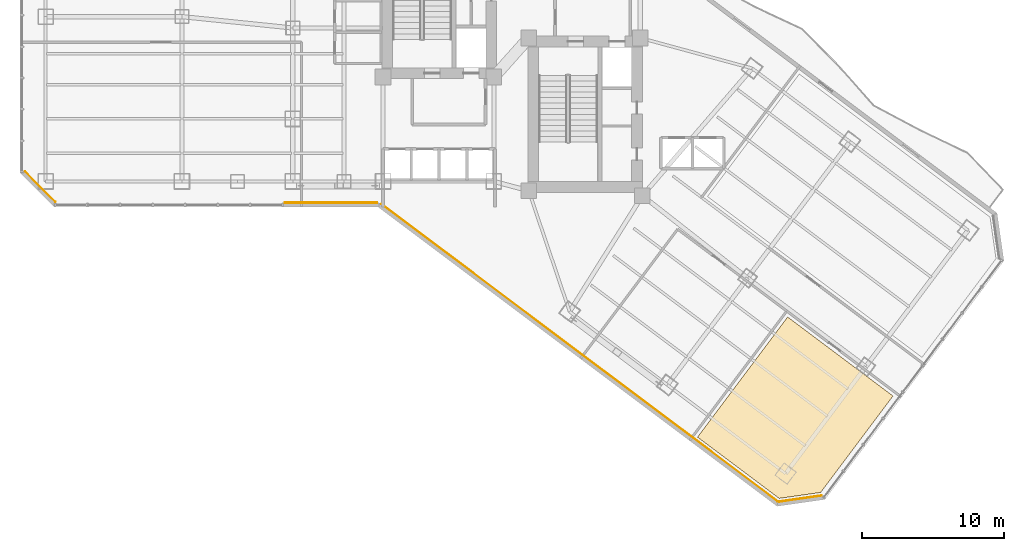
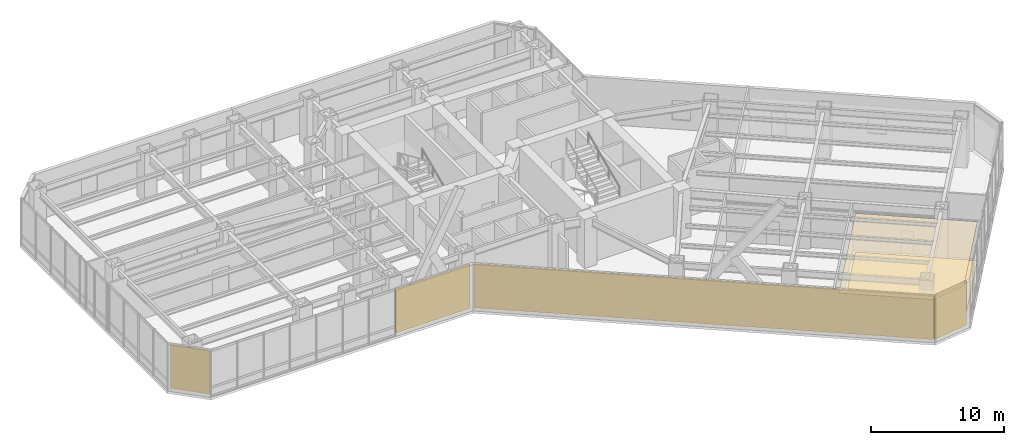
# One storey, part 25 of 29: 6 coverings.
"""IFC4 building model written with IfcOpenShell, lengths in metres."""

import ifcopenshell
import ifcopenshell.guid

model = None  # the IFC model being written
_history = None  # IfcOwnerHistory: only IFC2X3 demands one
_inside = {}  # id of a spatial element -> (the spatial element, [elements in it])
_under = {}  # id of a project, library or spatial element -> (it, [spatial elements below it])
_declared = {}  # id of a project -> (the project, [libraries it declares])
_typed = {}  # id of a type object -> (the type object, [elements of that type])
_made_of = {}  # id of a material, layer set ... -> (it, [elements and type objects made of it])


def new_model(schema):
    """Start an empty IFC model of exactly this schema.

    Asked for "IFC4X3", IfcOpenShell would pick the latest addendum, in which some entities
    have other attributes; the version numbers below select the first issue.
    IFC2X3 requires an IfcOwnerHistory on every rooted entity: one is made here for all.
    """
    global model, _history
    if schema == "IFC4X3":
        model = ifcopenshell.file(schema_version=(4, 3, 0, 0))
    else:
        model = ifcopenshell.file(schema=schema)
    _inside.clear()
    _under.clear()
    _declared.clear()
    _typed.clear()
    _made_of.clear()
    _history = None
    if model.schema == "IFC2X3":
        org = make("IfcOrganization", Name="unknown")
        user = make(
            "IfcPersonAndOrganization",
            ThePerson=make("IfcPerson", FamilyName="unknown"),
            TheOrganization=org,
        )
        app = make(
            "IfcApplication",
            ApplicationDeveloper=org,
            Version="unknown",
            ApplicationFullName="unknown",
            ApplicationIdentifier="unknown",
        )
        _history = make(
            "IfcOwnerHistory",
            OwningUser=user,
            OwningApplication=app,
            ChangeAction="ADDED",
            CreationDate=0,
        )
    return model


def make(cls, **values):
    """One entity of the class cls with the attributes given. An attribute that is None is left unset."""
    return model.create_entity(
        cls, **{name: value for name, value in values.items() if value is not None}
    )


def rooted(cls, **values):
    """An entity with a GlobalId (a new one), such as an element, a storey or a relation."""
    return make(cls, GlobalId=ifcopenshell.guid.new(), OwnerHistory=_history, **values)


def si_unit(unit_type, name, prefix=None):
    """IfcSIUnit, for example si_unit("LENGTHUNIT", "METRE", prefix="MILLI")."""
    return make("IfcSIUnit", UnitType=unit_type, Prefix=prefix, Name=name)


def assignment(units):
    """IfcUnitAssignment: the units of a project."""
    return None if units is None else make("IfcUnitAssignment", Units=units)


def point(xyz):
    """IfcCartesianPoint."""
    return None if xyz is None else make("IfcCartesianPoint", Coordinates=xyz)


def direction(xyz):
    """IfcDirection."""
    return None if xyz is None else make("IfcDirection", DirectionRatios=xyz)


def frame(location, z_axis=None, x_axis=None):
    """IfcAxis2Placement3D, a coordinate frame: its origin and axes. An axis left out is left unset."""
    return make(
        "IfcAxis2Placement3D",
        Location=point(location),
        Axis=direction(z_axis),
        RefDirection=direction(x_axis),
    )


def frame_2d(location, x_axis=None):
    """IfcAxis2Placement2D, a coordinate frame in the plane: its origin and x axis."""
    return make(
        "IfcAxis2Placement2D", Location=point(location), RefDirection=direction(x_axis)
    )


def origin():
    """The frame at (0, 0, 0) with its axes left unset."""
    return frame((0.0, 0.0, 0.0))


def origin_2d():
    """The frame at (0, 0) in the plane with its x axis left unset."""
    return frame_2d((0.0, 0.0))


def place(relative_to, where):
    """IfcLocalPlacement: puts the frame where relative to a parent placement (None: the world)."""
    return make(
        "IfcLocalPlacement", PlacementRelTo=relative_to, RelativePlacement=where
    )


def context(
    kind, dimensions, precision=None, world=None, true_north=None, identifier=None
):
    """IfcGeometricRepresentationContext, for example the 3D "Model" context."""
    return make(
        "IfcGeometricRepresentationContext",
        ContextIdentifier=identifier,
        ContextType=kind,
        CoordinateSpaceDimension=dimensions,
        Precision=precision,
        WorldCoordinateSystem=world,
        TrueNorth=true_north,
    )


def subcontext(parent, identifier, kind, view, scale=None):
    """IfcGeometricRepresentationSubContext, for example "Body" below "Model"."""
    return make(
        "IfcGeometricRepresentationSubContext",
        ContextIdentifier=identifier,
        ContextType=kind,
        ParentContext=parent,
        TargetScale=scale,
        TargetView=view,
    )


def project(units=None, contexts=None):
    """IfcProject with its units and contexts."""
    return rooted(
        "IfcProject",
        Name="project",
        RepresentationContexts=contexts,
        UnitsInContext=assignment(units),
    )


def spatial(cls, under=None, at=None, **own):
    """A site, building, storey or space (cls), placed at a placement, below another one or the project."""
    s = rooted(cls, ObjectPlacement=at, **own)
    if under is not None:
        _under.setdefault(under.id(), (under, []))[1].append(s)
    return s


def polyline(points):
    """IfcPolyline through the points."""
    return make("IfcPolyline", Points=[point(p) for p in points])


def profile(cls, at=None, kind="AREA", **sizes):
    """A parametric profile (cls). Its sizes go by their IFC names, for example OverallWidth=200.0."""
    return make(cls, ProfileType=kind, Position=at, **sizes)


def rectangle(**sizes):
    """IfcRectangleProfileDef."""
    return profile("IfcRectangleProfileDef", **sizes)


def outline(outer, holes=None, kind="AREA"):
    """IfcArbitraryClosedProfileDef: a profile drawn as a closed curve; with holes, ...WithVoids."""
    if holes is None:
        return make("IfcArbitraryClosedProfileDef", ProfileType=kind, OuterCurve=outer)
    return make(
        "IfcArbitraryProfileDefWithVoids",
        ProfileType=kind,
        OuterCurve=outer,
        InnerCurves=holes,
    )


def extrude(swept, where, along, depth):
    """IfcExtrudedAreaSolid: the profile swept, set in the frame where, extruded along a direction by depth."""
    return make(
        "IfcExtrudedAreaSolid",
        SweptArea=swept,
        Position=where,
        ExtrudedDirection=direction(along),
        Depth=depth,
    )


def shape(context_of_items, identifier, shape_type, items):
    """IfcShapeRepresentation: the items that make up one representation, for example the "Body"."""
    return make(
        "IfcShapeRepresentation",
        ContextOfItems=context_of_items,
        RepresentationIdentifier=identifier,
        RepresentationType=shape_type,
        Items=items,
    )


def material(Name=None, Category=None):
    """IfcMaterial."""
    return make("IfcMaterial", Name=Name, Category=Category)


def layer(
    of_material, thickness, ventilated=None, Name=None, Category=None, Priority=None
):
    """IfcMaterialLayer: one layer of a wall or slab, of a material (None: an air gap)."""
    return make(
        "IfcMaterialLayer",
        Material=of_material,
        LayerThickness=thickness,
        IsVentilated=ventilated,
        Name=Name,
        Category=Category,
        Priority=Priority,
    )


def layer_set(layers, Name=None):
    """IfcMaterialLayerSet."""
    return make("IfcMaterialLayerSet", MaterialLayers=layers, LayerSetName=Name)


def made_of(thing, what):
    """Note that an element or type object is made of a material, layer set ...; save() writes the relation."""
    if what is not None:
        _made_of.setdefault(what.id(), (what, []))[1].append(thing)
    return thing


def type_object(cls, material=None, **own):
    """A type object (cls), such as IfcWallType, which elements share."""
    return made_of(rooted(cls, **own), material)


def element(
    cls,
    number,
    at=None,
    inside=None,
    cuts=None,
    type_object=None,
    material=None,
    context=None,
    identifier="Body",
    shape_type=None,
    held_by="IfcProductDefinitionShape",
    body=None,
    shapes=None,
    **own,
):
    """One element of the class cls, such as IfcWall. Its Tag is "e" and its number.

    at: its placement. inside: the storey or other place that contains it. cuts: it is an
    opening in that element (IfcRelVoidsElement). A single representation is given by context,
    identifier, shape_type and body (its items); several are given by shapes. held_by: the class
    of the entity that holds the representations. save() writes the other relations.
    """
    e = rooted(cls, Tag="e%d" % number, ObjectPlacement=at, **own)
    if body is not None:
        shapes = [shape(context, identifier, shape_type, body)]
    if shapes is not None:
        e.Representation = make(held_by, Representations=shapes)
    if inside is not None:
        _inside.setdefault(inside.id(), (inside, []))[1].append(e)
    if cuts is not None:
        rooted(
            "IfcRelVoidsElement", RelatingBuildingElement=cuts, RelatedOpeningElement=e
        )
    if type_object is not None:
        _typed.setdefault(type_object.id(), (type_object, []))[1].append(e)
    return made_of(e, material)


def aggregate(whole, parts):
    """IfcRelAggregates: a whole, such as a stair, and the parts it consists of."""
    return rooted("IfcRelAggregates", RelatingObject=whole, RelatedObjects=parts)


def save(model, path):
    """Write the relations noted so far, then the file.

    IfcRelAggregates (storeys below a building ...), IfcRelContainedInSpatialStructure (elements
    in a storey), IfcRelDefinesByType, IfcRelAssociatesMaterial and IfcRelDeclares: one each for
    every whole, place, type object, material and project.
    """
    for whole, parts in _under.values():
        aggregate(whole, parts)
    for where, things in _inside.values():
        rooted(
            "IfcRelContainedInSpatialStructure",
            RelatedElements=things,
            RelatingStructure=where,
        )
    for kind, things in _typed.values():
        rooted("IfcRelDefinesByType", RelatedObjects=things, RelatingType=kind)
    for what, things in _made_of.values():
        rooted("IfcRelAssociatesMaterial", RelatedObjects=things, RelatingMaterial=what)
    for by, libraries in _declared.values():
        rooted("IfcRelDeclares", RelatingContext=by, RelatedDefinitions=libraries)
    model.write(path)


model = new_model("IFC4")

# Units and contexts
model_context = context("Model", 3, precision=1e-05, world=origin(), true_north=direction((0.0, 1.0)))
body_context = subcontext(model_context, "Body", "Model", "MODEL_VIEW")
ifc_project = project(units=[si_unit("LENGTHUNIT", "METRE"), si_unit("AREAUNIT", "SQUARE_METRE"), si_unit("VOLUMEUNIT", "CUBIC_METRE"), si_unit("PLANEANGLEUNIT", "RADIAN"), si_unit("MASSUNIT", "GRAM", prefix="KILO")], contexts=[model_context])

# Site, building, storey
site_placement = place(None, origin())
site = spatial("IfcSite", under=ifc_project, at=site_placement, CompositionType="ELEMENT")
building_placement = place(site_placement, origin())
building = spatial("IfcBuilding", under=site, at=building_placement, Name="Hatsunagi Terrace Concourse", CompositionType="ELEMENT")
storey_placement = place(building_placement, frame((0.0, 0.0, 32.10009765625)))
storey = spatial("IfcBuildingStorey", under=building, at=storey_placement, Name="L07", CompositionType="ELEMENT", Elevation=32.10009765625)

# Coverings
ifc_material_1 = material(Name="Granite stone paving", Category="masonry")
ifc_layer_1 = layer(ifc_material_1, 0.02490234375)
ifc_layer_set_1 = layer_set([ifc_layer_1], Name="GraniteStoneFlooring_25")
covering_type_1 = type_object("IfcCoveringType", Name="GraniteStoneFlooring_25", PredefinedType="FLOORING", material=ifc_layer_set_1)
covering_1_placement = place(storey_placement, origin())
element("IfcCovering", 1, at=covering_1_placement, inside=storey, type_object=covering_type_1, Name="Finished Flooring L07-2", PredefinedType="FLOORING", context=body_context, shape_type="SweptSolid", body=[
    extrude(outline(polyline([(56.347900390625, 3.31396484375), (61.43603515625, 10.097900390625), (54.02001953125, 15.659912109375), (47.677978515625, 7.2041015625), (53.422119140625, 2.89599609375), (56.347900390625, 3.31396484375)])), origin(), (0.0, 0.0, 1.0), 0.02490234375),
])
ifc_material_2 = material(Name="Unglazed Warm Terracotta Rainscreen Tile", Category="masonry")
ifc_layer_2 = layer(ifc_material_2, 0.044921875)
ifc_layer_set_2 = layer_set([ifc_layer_2], Name="TerracottaRainscreenCladding_45")
covering_type_2 = type_object("IfcCoveringType", Name="TerracottaRainscreenCladding_45", PredefinedType="CLADDING", material=ifc_layer_set_2)
covering_2_placement = place(storey_placement, frame((54.91796875, 2.87890625, 0.099853515625), z_axis=(0.0, 0.0, 1.0), x_axis=(-0.989973920543, -0.141250262458, 0.0)))
element("IfcCovering", 2, at=covering_2_placement, inside=storey, type_object=covering_type_2, Name="Terracotta Rainscreen Cladding L07-04", PredefinedType="CLADDING", context=body_context, shape_type="SweptSolid", body=[
    extrude(rectangle(XDim=3.0380859375, YDim=0.044921875, at=origin_2d()), origin(), (0.0, 0.0, 1.0), 4.080078125),
])
covering_3_placement = place(storey_placement, frame((39.3798828125, 13.14306640625, 0.099853515625), z_axis=(0.0, 0.0, 1.0), x_axis=(-0.800003116929, 0.599995844072, 0.0)))
element("IfcCovering", 3, at=covering_3_placement, inside=storey, type_object=covering_type_2, Name="Terracotta Rainscreen Cladding L07-05", PredefinedType="CLADDING", context=body_context, shape_type="SweptSolid", body=[
    extrude(rectangle(XDim=34.84912109375, YDim=0.044921875, at=origin_2d()), origin(), (0.0, 0.0, 1.0), 4.080078125),
])
covering_4_placement = place(storey_placement, frame((21.873046875, 23.701904296875, 0.099853515625), z_axis=(0.0, 0.0, 1.0), x_axis=(-1.0, 0.0, 0.0)))
element("IfcCovering", 4, at=covering_4_placement, inside=storey, type_object=covering_type_2, Name="Terracotta Rainscreen Cladding L07-06", PredefinedType="CLADDING", context=body_context, shape_type="SweptSolid", body=[
    extrude(rectangle(XDim=6.507080078125, YDim=0.044921875, at=origin_2d()), origin(), (0.0, 0.0, 1.0), 4.080078125),
])
covering_5_placement = place(storey_placement, frame((1.4140625, 24.81396484375, 0.099853515625), z_axis=(0.0, 0.0, 1.0), x_axis=(-0.707106781187, 0.707106781187, 0.0)))
element("IfcCovering", 5, at=covering_5_placement, inside=storey, type_object=covering_type_2, Name="Terracotta Rainscreen Cladding L07-08", PredefinedType="CLADDING", context=body_context, shape_type="SweptSolid", body=[
    extrude(rectangle(XDim=3.0380859375, YDim=0.044921875, at=origin_2d()), origin(), (0.0, 0.0, 1.0), 4.080078125),
])
ifc_material_3 = material(Name="Hardwood timber", Category="wood")
ifc_layer_3 = layer(ifc_material_3, 0.034912109375)
ifc_layer_set_3 = layer_set([ifc_layer_3], Name="TimberBaffleCeiling_35")
covering_type_3 = type_object("IfcCoveringType", Name="TimberBaffleCeiling_35", PredefinedType="CEILING", material=ifc_layer_set_3)
covering_6_placement = place(storey_placement, frame((0.0, 0.0, 3.559814453125)))
element("IfcCovering", 6, at=covering_6_placement, inside=storey, type_object=covering_type_3, Name="Suspended Ceiling L07-2", PredefinedType="CEILING", context=body_context, shape_type="SweptSolid", body=[
    extrude(outline(polyline([(56.347900390625, 3.31396484375), (61.43603515625, 10.097900390625), (54.02001953125, 15.659912109375), (47.677978515625, 7.2041015625), (53.422119140625, 2.89599609375), (56.347900390625, 3.31396484375)])), origin(), (0.0, 0.0, 1.0), 0.03515625),
])

save(model, "model.ifc")
